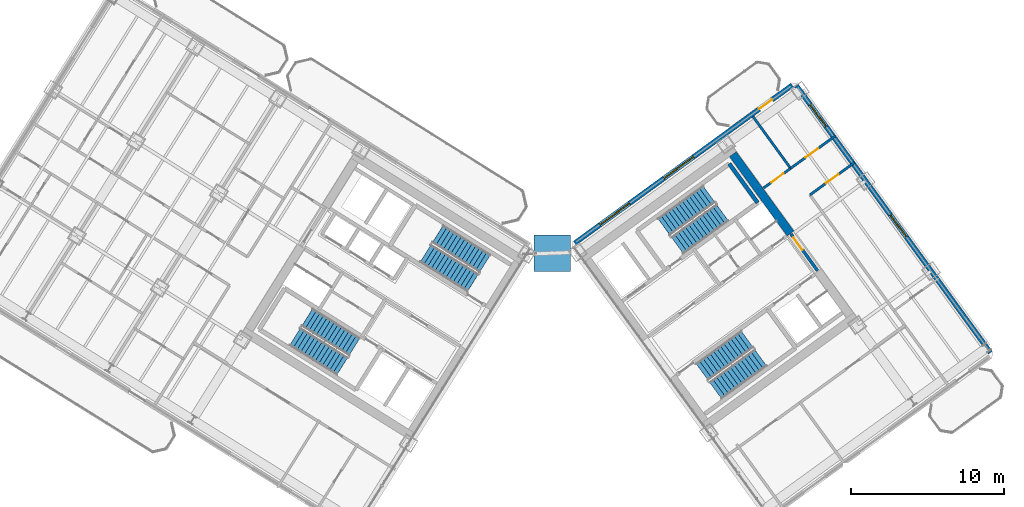
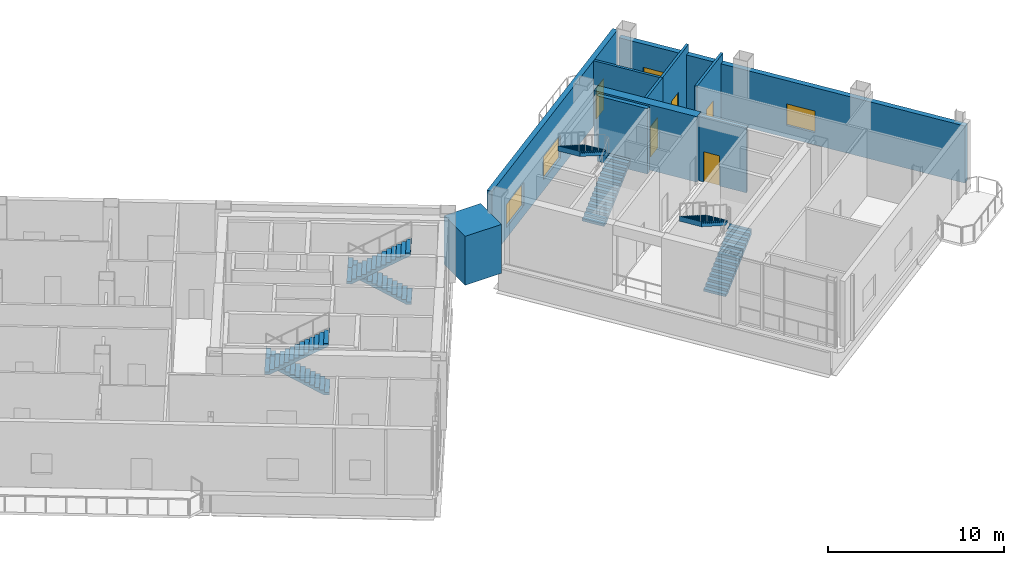
# One storey, part 16 of 22: 9 walls, 8 stair flights, 5 doors, 4 windows, 1 discrete accessory, 9 openings, 4 elements without a shape of their own.
"""IFC4 building model written with IfcOpenShell, lengths in metres."""

from ifc_helpers import new_model, si_unit, direction, frame, frame_2d, origin, origin_2d, place, context, subcontext, project, spatial, polyline, rectangle, outline, extrude, source, transform, mapped, material, layer, layer_set, type_object, element, fill, aggregate, save


model = new_model("IFC4")

# Units and contexts
model_context = context("Model", 3, precision=1e-05, world=origin(), true_north=direction((0.0, 1.0)))
body_context = subcontext(model_context, "Body", "Model", "MODEL_VIEW")
ifc_project = project(units=[si_unit("LENGTHUNIT", "METRE"), si_unit("AREAUNIT", "SQUARE_METRE"), si_unit("VOLUMEUNIT", "CUBIC_METRE"), si_unit("PLANEANGLEUNIT", "RADIAN"), si_unit("MASSUNIT", "GRAM", prefix="KILO")], contexts=[model_context])

# Site, building, storey
site_placement = place(None, origin())
site = spatial("IfcSite", under=ifc_project, at=site_placement, CompositionType="ELEMENT")
building_placement = place(site_placement, origin())
building = spatial("IfcBuilding", under=site, at=building_placement, Name="Tlacorven Tower", CompositionType="ELEMENT")
storey_placement = place(building_placement, frame((0.0, 0.0, 127.800048828125)))
storey = spatial("IfcBuildingStorey", under=building, at=storey_placement, Name="L32", CompositionType="ELEMENT", Elevation=127.800048828125)

# Wall
ifc_material_1 = material(Name="Concrete C60/75", Category="concrete")
ifc_layer_1 = layer(ifc_material_1, 0.550048828125)
ifc_layer_set_1 = layer_set([ifc_layer_1], Name="Concrete C60/75")
wall_type_1 = type_object("IfcWallType", Name="WL-COR-550", PredefinedType="SHEAR", material=ifc_layer_set_1)
wall_1_placement = place(storey_placement, frame((58.06396484375, 25.8134765625, 0.0), z_axis=(0.0, 0.0, 1.0), x_axis=(-0.587764933797, 0.809031756236, 0.0)))
element("IfcWall", 1, at=wall_1_placement, inside=storey, type_object=wall_type_1, Name="L32 E core end wall E2.2", PredefinedType="SHEAR", context=body_context, shape_type="SweptSolid", body=[
    extrude(rectangle(XDim=6.425048828125, YDim=0.550048828125, at=frame_2d((3.21240234375, 0.0))), origin(), (0.0, 0.0, 1.0), 4.550048828125),
])

# Wall, opening, door
ifc_material_2 = material(Name="Gypsum plasterboard acoustic partition", Category="gypsum")
ifc_layer_2 = layer(ifc_material_2, 0.159912109375)
ifc_layer_set_2 = layer_set([ifc_layer_2], Name="Gypsum plasterboard acoustic partition")
wall_type_2 = type_object("IfcWallType", Name="WL-DEM-160", PredefinedType="PARTITIONING", material=ifc_layer_set_2)
wall_2_placement = place(storey_placement, frame((56.280517578125, 28.7822265625, 0.0), z_axis=(0.0, 0.0, 1.0), x_axis=(0.80902286611, 0.587777170458, 0.0)))
wall_2 = element("IfcWall", 2, at=wall_2_placement, inside=storey, type_object=wall_type_2, Name="L32 partition 78", PredefinedType="PARTITIONING", context=body_context, shape_type="SweptSolid", body=[
    extrude(rectangle(XDim=2.2080078125, YDim=0.159912109375, at=frame_2d((1.10400390625, 0.0))), origin(), (0.0, 0.0, 1.0), 4.5400390625),
])
opening_1_placement = place(wall_2_placement, frame((0.64794921875, 0.0, 0.0)))
opening_1 = element("IfcOpeningElement", 3, at=opening_1_placement, cuts=wall_2, Name="Opening D11", PredefinedType="OPENING", context=body_context, shape_type="SweptSolid", body=[
    extrude(rectangle(XDim=1.0, YDim=2.10009765625, at=frame_2d((0.5, 1.050048828125))), frame((0.0, 0.08984375, 0.0), z_axis=(0.0, -1.0, 0.0), x_axis=(1.0, 0.0, 0.0)), (0.0, 0.0, 1.0), 0.179931640625),
])
ifc_material_3 = material(Name="Fire-rated steel door assembly", Category="steel")
door_type_1 = type_object("IfcDoorType", Name="DR-FLT-FD60-1000", OperationType="NOTDEFINED", PredefinedType="DOOR", material=ifc_material_3)
shared_shape_1 = source(origin(), body_context, "Body", "SweptSolid", [
    extrude(rectangle(XDim=1.0, YDim=2.10009765625, at=frame_2d((0.5, 1.050048828125))), frame((0.0, 0.02490234375, 0.0), z_axis=(0.0, -1.0, 0.0), x_axis=(1.0, 0.0, 0.0)), (0.0, 0.0, 1.0), 0.050048828125),
])
door_1_placement = place(opening_1_placement, origin())
door_1 = element("IfcDoor", 4, at=door_1_placement, inside=storey, type_object=door_type_1, Name="L32 door 048", OperationType="SINGLE_SWING_RIGHT", OverallHeight=2.10009765625, OverallWidth=1.0, PredefinedType="DOOR", context=body_context, shape_type="MappedRepresentation", body=[
    mapped(shared_shape_1, transform((0.0, 0.0, 0.0), scale=1.0)),
])
fill(opening_1, door_1)

# Wall
wall_3_placement = place(storey_placement, frame((58.06689453125, 30.080078125, 0.0), z_axis=(0.0, 0.0, 1.0), x_axis=(-0.587812175236, 0.808997433027, 0.0)))
element("IfcWall", 5, at=wall_3_placement, inside=storey, type_object=wall_type_2, Name="L32 partition 80", PredefinedType="PARTITIONING", context=body_context, shape_type="SweptSolid", body=[
    extrude(rectangle(XDim=4.199951171875, YDim=0.159912109375, at=frame_2d((2.10009765625, 0.0))), origin(), (0.0, 0.0, 1.0), 4.5400390625),
])

# Wall, opening, door
wall_4_placement = place(storey_placement, frame((59.33056640625, 28.340576171875, 0.0), z_axis=(0.0, 0.0, 1.0), x_axis=(0.809003564202, 0.587803736896, 0.0)))
wall_4 = element("IfcWall", 6, at=wall_4_placement, inside=storey, type_object=wall_type_2, Name="L32 partition 82", PredefinedType="PARTITIONING", context=body_context, shape_type="SweptSolid", body=[
    extrude(rectangle(XDim=3.630126953125, YDim=0.159912109375, at=frame_2d((1.81494140625, 0.0))), origin(), (0.0, 0.0, 1.0), 4.5400390625),
])
opening_2_placement = place(wall_4_placement, frame((1.304931640625, 0.0, 0.0)))
opening_2 = element("IfcOpeningElement", 7, at=opening_2_placement, cuts=wall_4, Name="Opening D11", PredefinedType="OPENING", context=body_context, shape_type="SweptSolid", body=[
    extrude(rectangle(XDim=1.0, YDim=2.10009765625, at=frame_2d((0.5, 1.050048828125))), frame((0.0, 0.08984375, 0.0), z_axis=(0.0, -1.0, 0.0), x_axis=(1.0, 0.0, 0.0)), (0.0, 0.0, 1.0), 0.179931640625),
])
door_2_placement = place(opening_2_placement, origin())
door_2 = element("IfcDoor", 8, at=door_2_placement, inside=storey, type_object=door_type_1, Name="L32 door 051", OperationType="SINGLE_SWING_LEFT", OverallHeight=2.10009765625, OverallWidth=1.0, PredefinedType="DOOR", context=body_context, shape_type="MappedRepresentation", body=[
    mapped(shared_shape_1, transform((0.0, 0.0, 0.0), scale=1.0)),
])
fill(opening_2, door_2)

wall_5_placement = place(storey_placement, frame((58.06689453125, 30.080078125, 0.0), z_axis=(0.0, 0.0, 1.0), x_axis=(0.809012309495, 0.587791700422, 0.0)))
wall_5 = element("IfcWall", 9, at=wall_5_placement, inside=storey, type_object=wall_type_2, Name="L32 partition 83", PredefinedType="PARTITIONING", context=body_context, shape_type="SweptSolid", body=[
    extrude(rectangle(XDim=3.6298828125, YDim=0.159912109375, at=frame_2d((1.81494140625, 0.0))), origin(), (0.0, 0.0, 1.0), 4.5400390625),
])
opening_3_placement = place(wall_5_placement, frame((1.199951171875, 0.0, 0.0)))
opening_3 = element("IfcOpeningElement", 10, at=opening_3_placement, cuts=wall_5, Name="Opening D11", PredefinedType="OPENING", context=body_context, shape_type="SweptSolid", body=[
    extrude(rectangle(XDim=1.0, YDim=2.10009765625, at=frame_2d((0.5, 1.050048828125))), frame((0.0, 0.08984375, 0.0), z_axis=(0.0, -1.0, 0.0), x_axis=(1.0, 0.0, 0.0)), (0.0, 0.0, 1.0), 0.179931640625),
])
door_3_placement = place(opening_3_placement, origin())
door_3 = element("IfcDoor", 11, at=door_3_placement, inside=storey, type_object=door_type_1, Name="L32 door 050", OperationType="SINGLE_SWING_RIGHT", OverallHeight=2.10009765625, OverallWidth=1.0, PredefinedType="DOOR", context=body_context, shape_type="MappedRepresentation", body=[
    mapped(shared_shape_1, transform((0.0, 0.0, 0.0), scale=1.0)),
])
fill(opening_3, door_3)

# Wall, openings, door, windows
ifc_material_4 = material(Name="Precast concrete C45/55", Category="concrete")
ifc_layer_3 = layer(ifc_material_4, 0.320068359375)
ifc_layer_set_3 = layer_set([ifc_layer_3], Name="Precast concrete C45/55")
wall_type_3 = type_object("IfcWallType", Name="WL-EXT-320", PredefinedType="STANDARD", material=ifc_layer_set_3)
wall_6_placement = place(storey_placement, frame((43.93798828125, 25.191650390625, 0.0), z_axis=(0.0, 0.0, 1.0), x_axis=(0.809016324578, 0.587786174187, 0.0)))
wall_6 = element("IfcWall", 12, at=wall_6_placement, inside=storey, type_object=wall_type_3, Name="L32 Masonry-Frame Recessed Facade Wall 4", PredefinedType="STANDARD", context=body_context, shape_type="SweptSolid", body=[
    extrude(rectangle(XDim=17.58740234375, YDim=0.320068359375, at=frame_2d((8.793701171875, 0.0))), origin(), (0.0, 0.0, 1.0), 4.550048828125),
])
opening_4_placement = place(wall_6_placement, frame((14.913818359375, 0.0, 0.0)))
opening_4 = element("IfcOpeningElement", 13, at=opening_4_placement, cuts=wall_6, Name="Opening D06", PredefinedType="OPENING", context=body_context, shape_type="SweptSolid", body=[
    extrude(rectangle(XDim=1.050048828125, YDim=2.14990234375, at=frame_2d((0.52490234375, 1.074951171875))), frame((0.0, 0.169921875, 0.0), z_axis=(0.0, -1.0, 0.0), x_axis=(1.0, 0.0, 0.0)), (0.0, 0.0, 1.0), 0.340087890625),
])
opening_5_placement = place(wall_6_placement, frame((2.031982421875, 0.0, 0.75)))
opening_5 = element("IfcOpeningElement", 14, at=opening_5_placement, cuts=wall_6, Name="Opening WN06", PredefinedType="OPENING", context=body_context, shape_type="SweptSolid", body=[
    extrude(rectangle(XDim=2.39990234375, YDim=1.60009765625, at=frame_2d((1.199951171875, 0.800048828125))), frame((0.0, 0.169921875, 0.0), z_axis=(0.0, -1.0, 0.0), x_axis=(1.0, 0.0, 0.0)), (0.0, 0.0, 1.0), 0.340087890625),
])
opening_6_placement = place(wall_6_placement, frame((7.20654296875, 0.0, 0.75)))
opening_6 = element("IfcOpeningElement", 15, at=opening_6_placement, cuts=wall_6, Name="Opening WN06", PredefinedType="OPENING", context=body_context, shape_type="SweptSolid", body=[
    extrude(rectangle(XDim=2.39990234375, YDim=1.60009765625, at=frame_2d((1.199951171875, 0.800048828125))), frame((0.0, 0.169921875, 0.0), z_axis=(0.0, -1.0, 0.0), x_axis=(1.0, 0.0, 0.0)), (0.0, 0.0, 1.0), 0.340087890625),
])
ifc_material_5 = material(Name="Powder-coated aluminium and timber door", Category="wood")
door_type_2 = type_object("IfcDoorType", Name="DR-EXT-BALC-1050", OperationType="NOTDEFINED", PredefinedType="DOOR", material=ifc_material_5)
shared_shape_2 = source(origin(), body_context, "Body", "SweptSolid", [
    extrude(rectangle(XDim=1.050048828125, YDim=2.14990234375, at=frame_2d((0.52490234375, 1.074951171875))), frame((0.0, 0.02490234375, 0.0), z_axis=(0.0, -1.0, 0.0), x_axis=(1.0, 0.0, 0.0)), (0.0, 0.0, 1.0), 0.050048828125),
])
door_4_placement = place(opening_4_placement, origin())
door_4 = element("IfcDoor", 16, at=door_4_placement, inside=storey, type_object=door_type_2, Name="L32 Outdoor Access Door BAL-L32-E-IN", OperationType="SINGLE_SWING_RIGHT", OverallHeight=2.14990234375, OverallWidth=1.050048828125, PredefinedType="DOOR", context=body_context, shape_type="MappedRepresentation", body=[
    mapped(shared_shape_2, transform((0.0, 0.0, 0.0), scale=1.0)),
])
fill(opening_4, door_4)
ifc_material_6 = material(Name="Dark solar low-E double glazing in anodised aluminium frame", Category="aluminium")
window_type_1 = type_object("IfcWindowType", Name="WN-APT-2400X1800", PartitioningType="SINGLE_PANEL", PredefinedType="WINDOW", material=ifc_material_6)
shared_shape_3 = source(origin(), body_context, "Body", "SweptSolid", [
    extrude(rectangle(XDim=2.39990234375, YDim=1.60009765625, at=frame_2d((1.199951171875, 0.800048828125))), frame((0.0, 0.030029296875, 0.0), z_axis=(0.0, -1.0, 0.0), x_axis=(1.0, 0.0, 0.0)), (0.0, 0.0, 1.0), 0.06005859375),
])
window_1_placement = place(opening_5_placement, origin())
window_1 = element("IfcWindow", 17, at=window_1_placement, inside=storey, type_object=window_type_1, Name="L32 Recessed Masonry-Frame Window L32-04.1", OverallHeight=1.60009765625, OverallWidth=2.39990234375, PartitioningType="SINGLE_PANEL", PredefinedType="WINDOW", context=body_context, shape_type="MappedRepresentation", body=[
    mapped(shared_shape_3, transform((0.0, 0.0, 0.0), scale=1.0)),
])
fill(opening_5, window_1)
window_2_placement = place(opening_6_placement, origin())
window_2 = element("IfcWindow", 18, at=window_2_placement, inside=storey, type_object=window_type_1, Name="L32 Recessed Masonry-Frame Window L32-04.2", OverallHeight=1.60009765625, OverallWidth=2.39990234375, PartitioningType="SINGLE_PANEL", PredefinedType="WINDOW", context=body_context, shape_type="MappedRepresentation", body=[
    mapped(shared_shape_3, transform((0.0, 0.0, 0.0), scale=1.0)),
])
fill(opening_6, window_2)

# Wall, openings, windows
wall_7_placement = place(storey_placement, frame((58.45458984375, 35.483642578125, 0.0), z_axis=(0.0, 0.0, 1.0), x_axis=(0.587783625747, -0.809018176127, 0.0)))
wall_7 = element("IfcWall", 19, at=wall_7_placement, inside=storey, type_object=wall_type_3, Name="L32 Masonry-Frame Recessed Facade Wall 5", PredefinedType="STANDARD", context=body_context, shape_type="SweptSolid", body=[
    extrude(rectangle(XDim=21.58740234375, YDim=0.320068359375, at=frame_2d((10.793701171875, 0.0))), origin(), (0.0, 0.0, 1.0), 3.974853515625),
])
opening_7_placement = place(wall_7_placement, frame((1.503662109375, 0.0, 0.85009765625)))
opening_7 = element("IfcOpeningElement", 20, at=opening_7_placement, cuts=wall_7, Name="Opening WN01", PredefinedType="OPENING", context=body_context, shape_type="SweptSolid", body=[
    extrude(rectangle(XDim=1.800048828125, YDim=1.5, at=frame_2d((0.89990234375, 0.75))), frame((0.0, 0.169921875, 0.0), z_axis=(0.0, -1.0, 0.0), x_axis=(1.0, 0.0, 0.0)), (0.0, 0.0, 1.0), 0.340087890625),
])
opening_8_placement = place(wall_7_placement, frame((10.443603515625, 0.0, 0.85009765625)))
opening_8 = element("IfcOpeningElement", 21, at=opening_8_placement, cuts=wall_7, Name="Opening WN01", PredefinedType="OPENING", context=body_context, shape_type="SweptSolid", body=[
    extrude(rectangle(XDim=1.800048828125, YDim=1.5, at=frame_2d((0.89990234375, 0.75))), frame((0.0, 0.169921875, 0.0), z_axis=(0.0, -1.0, 0.0), x_axis=(1.0, 0.0, 0.0)), (0.0, 0.0, 1.0), 0.340087890625),
])
window_type_2 = type_object("IfcWindowType", Name="WN-APT-1800X1650", PartitioningType="SINGLE_PANEL", PredefinedType="WINDOW", material=ifc_material_6)
shared_shape_4 = source(origin(), body_context, "Body", "SweptSolid", [
    extrude(rectangle(XDim=1.800048828125, YDim=1.5, at=frame_2d((0.89990234375, 0.75))), frame((0.0, 0.030029296875, 0.0), z_axis=(0.0, -1.0, 0.0), x_axis=(1.0, 0.0, 0.0)), (0.0, 0.0, 1.0), 0.06005859375),
])
window_3_placement = place(opening_7_placement, origin())
window_3 = element("IfcWindow", 22, at=window_3_placement, inside=storey, type_object=window_type_2, Name="L32 Recessed Masonry-Frame Window L32-05.1", OverallHeight=1.5, OverallWidth=1.800048828125, PartitioningType="SINGLE_PANEL", PredefinedType="WINDOW", context=body_context, shape_type="MappedRepresentation", body=[
    mapped(shared_shape_4, transform((0.0, 0.0, 0.0), scale=1.0)),
])
fill(opening_7, window_3)
window_4_placement = place(opening_8_placement, origin())
window_4 = element("IfcWindow", 23, at=window_4_placement, inside=storey, type_object=window_type_2, Name="L32 Recessed Masonry-Frame Window L32-05.2", OverallHeight=1.5, OverallWidth=1.800048828125, PartitioningType="SINGLE_PANEL", PredefinedType="WINDOW", context=body_context, shape_type="MappedRepresentation", body=[
    mapped(shared_shape_4, transform((0.0, 0.0, 0.0), scale=1.0)),
])
fill(opening_8, window_4)

# Wall, opening, door
ifc_material_7 = material(Name="Concrete C40/50", Category="concrete")
ifc_layer_4 = layer(ifc_material_7, 0.199951171875)
ifc_layer_set_4 = layer_set([ifc_layer_4], Name="Concrete C40/50")
wall_type_4 = type_object("IfcWallType", Name="WL-SHF-200", PredefinedType="STANDARD", material=ifc_layer_set_4)
wall_8_placement = place(storey_placement, frame((59.827392578125, 23.386474609375, 0.0), z_axis=(0.0, 0.0, 1.0), x_axis=(-0.587803840107, 0.809003489211, 0.0)))
wall_8 = element("IfcWall", 24, at=wall_8_placement, inside=storey, type_object=wall_type_4, Name="L32 partition 76", PredefinedType="STANDARD", context=body_context, shape_type="SweptSolid", body=[
    extrude(rectangle(XDim=2.960205078125, YDim=0.199951171875, at=frame_2d((1.47998046875, 0.0))), origin(), (0.0, 0.0, 1.0), 4.5400390625),
])
opening_9_placement = place(wall_8_placement, frame((1.679931640625, 0.0, 0.0)))
opening_9 = element("IfcOpeningElement", 25, at=opening_9_placement, cuts=wall_8, Name="Opening D11", PredefinedType="OPENING", context=body_context, shape_type="SweptSolid", body=[
    extrude(rectangle(XDim=1.0, YDim=2.10009765625, at=frame_2d((0.5, 1.050048828125))), frame((0.0, 0.10986328125, 0.0), z_axis=(0.0, -1.0, 0.0), x_axis=(1.0, 0.0, 0.0)), (0.0, 0.0, 1.0), 0.219970703125),
])
door_5_placement = place(opening_9_placement, origin())
door_5 = element("IfcDoor", 26, at=door_5_placement, inside=storey, type_object=door_type_1, Name="L32 door 049", OperationType="SINGLE_SWING_LEFT", OverallHeight=2.10009765625, OverallWidth=1.0, PredefinedType="DOOR", context=body_context, shape_type="MappedRepresentation", body=[
    mapped(shared_shape_1, transform((0.0, 0.0, 0.0), scale=1.0)),
])
fill(opening_9, door_5)

# Wall
ifc_material_8 = material(Name="Concrete C50/60", Category="concrete")
ifc_layer_5 = layer(ifc_material_8, 0.260009765625)
ifc_layer_set_5 = layer_set([ifc_layer_5], Name="Concrete C50/60")
wall_type_5 = type_object("IfcWallType", Name="WL-STW-260", PredefinedType="SHEAR", material=ifc_layer_set_5)
wall_9_placement = place(storey_placement, frame((55.906494140625, 27.83056640625, 0.0), z_axis=(0.0, 0.0, 1.0), x_axis=(-0.587804123638, 0.809003283204, 0.0)))
element("IfcWall", 27, at=wall_9_placement, inside=storey, type_object=wall_type_5, Name="L32 Stair E1 East Shear Wall", PredefinedType="SHEAR", context=body_context, shape_type="SweptSolid", body=[
    extrude(rectangle(XDim=3.159912109375, YDim=0.260009765625, at=frame_2d((1.580078125, 0.0))), origin(), (0.0, 0.0, 1.0), 4.550048828125),
])

# Stair, stair flights
stair_type = type_object("IfcStairType", Name="ST-CORE-DLG", PredefinedType="HALF_TURN_STAIR", material=ifc_material_7)
stair_1_placement = place(storey_placement, origin())
stair_1 = element("IfcStair", 28, at=stair_1_placement, inside=storey, type_object=stair_type, Name="L32 Protected Exit Stair West 1", PredefinedType="HALF_TURN_STAIR")
stair_flight_type = type_object("IfcStairFlightType", Name="SFL-RC-1380", PredefinedType="STRAIGHT", material=ifc_material_7)
shared_shape_5 = source(origin(), body_context, "Body", "SweptSolid", [
    extrude(outline(polyline([(-0.0029296875, -0.0029296875), (-0.0029296875, 0.17138671875), (0.280029296875, 0.17138671875), (0.280029296875, 0.3427734375), (0.56005859375, 0.3427734375), (0.56005859375, 0.514404296875), (0.840087890625, 0.514404296875), (0.840087890625, 0.685791015625), (1.1201171875, 0.685791015625), (1.1201171875, 0.857177734375), (1.39990234375, 0.857177734375), (1.39990234375, 1.028564453125), (1.679931640625, 1.028564453125), (1.679931640625, 1.199951171875), (1.9599609375, 1.199951171875), (1.9599609375, 1.371337890625), (2.239990234375, 1.371337890625), (2.239990234375, 1.54296875), (2.52001953125, 1.54296875), (2.52001953125, 1.71435546875), (2.800048828125, 1.71435546875), (2.800048828125, 1.8857421875), (3.080078125, 1.8857421875), (3.080078125, 2.05712890625), (3.360107421875, 2.05712890625), (3.360107421875, 2.228515625), (3.639892578125, 2.228515625), (3.639892578125, 2.39990234375), (3.64306640625, 2.39990234375), (3.64306640625, 2.041015625), (3.639892578125, 2.041015625), (0.30615234375, 0.0), (0.30615234375, -0.0029296875), (-0.0029296875, -0.0029296875)])), frame((0.0, 0.68994140625, 0.0), z_axis=(0.0, -1.0, 0.0), x_axis=(1.0, 0.0, 0.0)), (0.0, 0.0, 1.0), 1.3798828125),
])
stair_flight_1_placement = place(storey_placement, frame((29.499755859375, 18.39453125, 0.0), z_axis=(0.0, 0.0, 1.0), x_axis=(-0.848048096156, 0.529919264233, 0.0)))
stair_flight_1 = element("IfcStairFlight", 29, at=stair_flight_1_placement, type_object=stair_flight_type, Name="ST-W1 flight 1", NumberOfRisers=14, NumberOfTreads=13, PredefinedType="STRAIGHT", RiserHeight=0.171428571, TreadLength=0.28, context=body_context, shape_type="MappedRepresentation", body=[
    mapped(shared_shape_5, transform((0.0, 0.0, 0.0), scale=1.0)),
])
stair_flight_2_placement = place(storey_placement, frame((25.6181640625, 19.051513671875, 2.39990234375), z_axis=(0.0, 0.0, 1.0), x_axis=(0.848048096156, -0.529919264233, 0.0)))
stair_flight_2 = element("IfcStairFlight", 30, at=stair_flight_2_placement, type_object=stair_flight_type, Name="ST-W1 flight 2", NumberOfRisers=14, NumberOfTreads=13, PredefinedType="STRAIGHT", RiserHeight=0.171428571, TreadLength=0.28, context=body_context, shape_type="MappedRepresentation", body=[
    mapped(shared_shape_5, transform((0.0, 0.0, 0.0), scale=1.0)),
])
aggregate(stair_1, [stair_flight_1, stair_flight_2])

stair_2_placement = place(storey_placement, origin())
stair_2 = element("IfcStair", 31, at=stair_2_placement, inside=storey, type_object=stair_type, Name="L32 Protected Exit Stair West 2", PredefinedType="HALF_TURN_STAIR")
stair_flight_3_placement = place(storey_placement, frame((38.051513671875, 23.852294921875, 0.0), z_axis=(0.0, 0.0, 1.0), x_axis=(-0.848048096156, 0.529919264233, 0.0)))
stair_flight_3 = element("IfcStairFlight", 32, at=stair_flight_3_placement, type_object=stair_flight_type, Name="ST-W2 flight 1", NumberOfRisers=14, NumberOfTreads=13, PredefinedType="STRAIGHT", RiserHeight=0.171428571, TreadLength=0.28, context=body_context, shape_type="MappedRepresentation", body=[
    mapped(shared_shape_5, transform((0.0, 0.0, 0.0), scale=1.0)),
])
stair_flight_4_placement = place(storey_placement, frame((34.169677734375, 24.509033203125, 2.39990234375), z_axis=(0.0, 0.0, 1.0), x_axis=(0.848048096156, -0.529919264233, 0.0)))
stair_flight_4 = element("IfcStairFlight", 33, at=stair_flight_4_placement, type_object=stair_flight_type, Name="ST-W2 flight 2", NumberOfRisers=14, NumberOfTreads=13, PredefinedType="STRAIGHT", RiserHeight=0.171428571, TreadLength=0.28, context=body_context, shape_type="MappedRepresentation", body=[
    mapped(shared_shape_5, transform((0.0, 0.0, 0.0), scale=1.0)),
])
aggregate(stair_2, [stair_flight_3, stair_flight_4])

stair_3_placement = place(storey_placement, origin())
stair_3 = element("IfcStair", 34, at=stair_3_placement, inside=storey, type_object=stair_type, Name="L32 Protected Exit Stair East 1", PredefinedType="HALF_TURN_STAIR")
stair_flight_5_placement = place(storey_placement, frame((50.6533203125, 25.0400390625, 0.0), z_axis=(0.0, 0.0, 1.0), x_axis=(0.809016994375, 0.587785252292, 0.0)))
stair_flight_5 = element("IfcStairFlight", 35, at=stair_flight_5_placement, type_object=stair_flight_type, Name="ST-E1 flight 1", NumberOfRisers=14, NumberOfTreads=13, PredefinedType="STRAIGHT", RiserHeight=0.171428571, TreadLength=0.28, context=body_context, shape_type="MappedRepresentation", body=[
    mapped(shared_shape_5, transform((0.0, 0.0, 0.0), scale=1.0)),
])
stair_flight_6_placement = place(storey_placement, frame((52.716552734375, 28.39306640625, 2.39990234375), z_axis=(0.0, 0.0, 1.0), x_axis=(-0.809016994375, -0.587785252292, 0.0)))
stair_flight_6 = element("IfcStairFlight", 36, at=stair_flight_6_placement, type_object=stair_flight_type, Name="ST-E1 flight 2", NumberOfRisers=14, NumberOfTreads=13, PredefinedType="STRAIGHT", RiserHeight=0.171428571, TreadLength=0.28, context=body_context, shape_type="MappedRepresentation", body=[
    mapped(shared_shape_5, transform((0.0, 0.0, 0.0), scale=1.0)),
])
aggregate(stair_3, [stair_flight_5, stair_flight_6])

stair_4_placement = place(storey_placement, origin())
stair_4 = element("IfcStair", 37, at=stair_4_placement, inside=storey, type_object=stair_type, Name="L32 Protected Exit Stair East 2", PredefinedType="HALF_TURN_STAIR")
stair_flight_7_placement = place(storey_placement, frame((53.157470703125, 15.536865234375, 0.0), z_axis=(0.0, 0.0, 1.0), x_axis=(0.809016994375, 0.587785252292, 0.0)))
stair_flight_7 = element("IfcStairFlight", 38, at=stair_flight_7_placement, type_object=stair_flight_type, Name="ST-E2 flight 1", NumberOfRisers=14, NumberOfTreads=13, PredefinedType="STRAIGHT", RiserHeight=0.171428571, TreadLength=0.28, context=body_context, shape_type="MappedRepresentation", body=[
    mapped(shared_shape_5, transform((0.0, 0.0, 0.0), scale=1.0)),
])
stair_flight_8_placement = place(storey_placement, frame((55.220458984375, 18.889892578125, 2.39990234375), z_axis=(0.0, 0.0, 1.0), x_axis=(-0.809016994375, -0.587785252292, 0.0)))
stair_flight_8 = element("IfcStairFlight", 39, at=stair_flight_8_placement, type_object=stair_flight_type, Name="ST-E2 flight 2", NumberOfRisers=14, NumberOfTreads=13, PredefinedType="STRAIGHT", RiserHeight=0.171428571, TreadLength=0.28, context=body_context, shape_type="MappedRepresentation", body=[
    mapped(shared_shape_5, transform((0.0, 0.0, 0.0), scale=1.0)),
])
aggregate(stair_4, [stair_flight_7, stair_flight_8])

# Discrete accessory
ifc_material_9 = material(Name="Aluminium 6063-T6 anodised", Category="aluminium")
discrete_accessory_type = type_object("IfcDiscreteAccessoryType", Name="ACC-TRB-01", PredefinedType="BRACKET", material=ifc_material_9)
shared_shape_6 = source(origin(), body_context, "Body", "SweptSolid", [
    extrude(rectangle(XDim=2.39990234375, YDim=2.39990234375, at=origin_2d()), origin(), (0.0, 0.0, 1.0), 3.39990234375),
])
discrete_accessory_placement = place(storey_placement, frame((42.453369140625, 24.526611328125, 0.050048828125), z_axis=(0.0, 0.0, 1.0), x_axis=(1.0, 0.0, 0.0)))
element("IfcDiscreteAccessory", 40, at=discrete_accessory_placement, inside=storey, type_object=discrete_accessory_type, Name="L32 Vertical-Axis Venturi Wind Turbine Rotor", PredefinedType="BRACKET", context=body_context, shape_type="MappedRepresentation", body=[
    mapped(shared_shape_6, transform((0.0, 0.0, 0.0), scale=1.0)),
])

save(model, "model.ifc")
